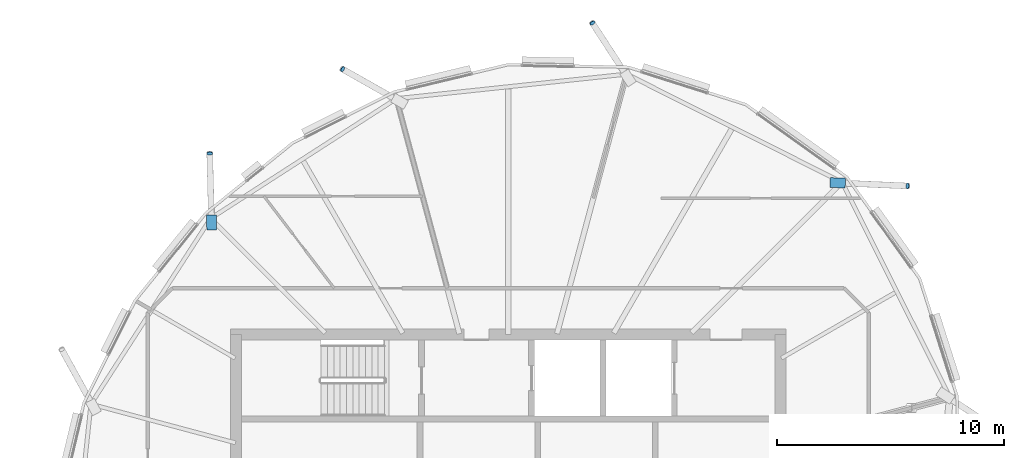
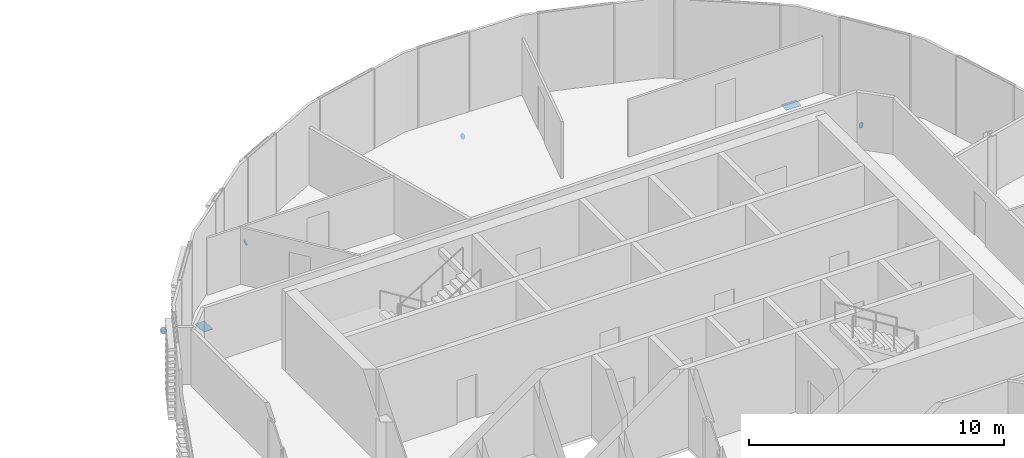
# One storey, part 34 of 41: 6 discrete accessories.
"""IFC4 building model written with IfcOpenShell, lengths in metres."""

from ifc_helpers import new_model, si_unit, direction, frame, origin, origin_2d, place, context, subcontext, project, spatial, polyline, rectangle, circle, outline, extrude, material, material_profile, profile_set, type_object, element, save


model = new_model("IFC4")

# Units and contexts
model_context = context("Model", 3, precision=1e-05, world=origin(), true_north=direction((0.0, 1.0)))
body_context = subcontext(model_context, "Body", "Model", "MODEL_VIEW")
ifc_project = project(units=[si_unit("LENGTHUNIT", "METRE"), si_unit("AREAUNIT", "SQUARE_METRE"), si_unit("VOLUMEUNIT", "CUBIC_METRE"), si_unit("PLANEANGLEUNIT", "RADIAN"), si_unit("MASSUNIT", "GRAM", prefix="KILO")], contexts=[model_context])

# Site, building, storey
site_placement = place(None, origin())
site = spatial("IfcSite", under=ifc_project, at=site_placement, CompositionType="ELEMENT")
building_placement = place(site_placement, origin())
building = spatial("IfcBuilding", under=site, at=building_placement, Name="Rimbun Link Towers", CompositionType="ELEMENT")
storey_placement = place(building_placement, frame((0.0, 0.0, 214.300048828125)))
storey = spatial("IfcBuildingStorey", under=building, at=storey_placement, Name="L52", CompositionType="ELEMENT", Elevation=214.300048828125)

# Discrete accessories
ifc_material_1 = material(Name="Steel S355J2H", Category="steel")
ifc_material_profile_1 = material_profile(ifc_material_1, circle(Radius=0.1240234375, at=origin_2d()), Name="PL D248")
ifc_profile_set_1 = profile_set([ifc_material_profile_1], Name="Steel S355J2H")
discrete_accessory_type_1 = type_object("IfcDiscreteAccessoryType", Name="Link foot sealing plate D248X20", PredefinedType="BRACKET", material=ifc_profile_set_1)
discrete_accessory_1_placement = place(storey_placement, frame((49.347900390625, 14.546142578125, -2.623291015625), z_axis=(0.85150841907, -0.03649321796, -0.523069457429), x_axis=(0.042817838392, 0.999082895818, 0.0)))
element("IfcDiscreteAccessory", 1, at=discrete_accessory_1_placement, inside=storey, type_object=discrete_accessory_type_1, Name="Link foot sealing plate T2 L52 00", PredefinedType="BRACKET", context=body_context, shape_type="SweptSolid", body=[
    extrude(circle(Radius=0.1240234375, at=origin_2d()), origin(), (0.0, 0.0, 1.0), 0.02001953125),
])
discrete_accessory_2_placement = place(storey_placement, frame((35.46484375, 21.7236328125, -2.64697265625), z_axis=(-0.45970358039, 0.701652833227, -0.544385818883), x_axis=(-0.83646112958, -0.548026257311, 0.0)))
element("IfcDiscreteAccessory", 2, at=discrete_accessory_2_placement, inside=storey, type_object=discrete_accessory_type_1, Name="Link foot sealing plate T2 L52 02", PredefinedType="BRACKET", context=body_context, shape_type="SweptSolid", body=[
    extrude(circle(Radius=0.1240234375, at=origin_2d()), origin(), (0.0, 0.0, 1.0), 0.020263671875),
])
for number, where, z_axis, x_axis, name in (
    (3, (24.45654296875, 19.6923828125, -2.644287109375), (-0.728625519872, 0.412887794594, -0.546469139904), (-0.493012571981, -0.870022185849, 0.0), "Link foot sealing plate T2 L52 04"),
    (4, (18.59130859375, 15.9716796875, -2.549072265625), (-0.024520043366, 0.83368147445, -0.551700975739), (-0.999567754464, -0.029399051602, 0.0), "Link foot sealing plate T2 L52 06"),
):
    element("IfcDiscreteAccessory", number, at=place(storey_placement, frame(where, z_axis=z_axis, x_axis=x_axis)), inside=storey, type_object=discrete_accessory_type_1, Name=name, PredefinedType="BRACKET", context=body_context, shape_type="SweptSolid", body=[
        extrude(circle(Radius=0.1240234375, at=origin_2d()), origin(), (0.0, 0.0, 1.0), 0.02001953125),
    ])
ifc_material_2 = material(Name="Steel S355J2H", Category="steel")
ifc_material_profile_2 = material_profile(ifc_material_2, rectangle(XDim=0.43310546875, YDim=0.43310546875, at=origin_2d()), Name="PL 433x433")
ifc_profile_set_2 = profile_set([ifc_material_profile_2], Name="Steel S355J2H")
discrete_accessory_type_2 = type_object("IfcDiscreteAccessoryType", Name="Link head end plate 433X20", PredefinedType="BRACKET", material=ifc_profile_set_2)
discrete_accessory_3_placement = place(storey_placement, frame((0.0, 0.0, -0.693115234375)))
element("IfcDiscreteAccessory", 5, at=discrete_accessory_3_placement, inside=storey, type_object=discrete_accessory_type_2, Name="Link head end plate T2 L52 00", PredefinedType="BRACKET", context=body_context, shape_type="SweptSolid", body=[
    extrude(outline(polyline([(45.9287109375, 14.48291015625), (46.6015625, 14.452880859375), (46.62109375, 14.88525390625), (45.947998046875, 14.91552734375), (45.9287109375, 14.48291015625)])), origin(), (0.0, 0.0, 1.0), 0.02001953125),
])
discrete_accessory_4_placement = place(storey_placement, frame((0.0, 0.0, -0.56640625)))
element("IfcDiscreteAccessory", 6, at=discrete_accessory_4_placement, inside=storey, type_object=discrete_accessory_type_2, Name="Link head end plate T2 L52 06", PredefinedType="BRACKET", context=body_context, shape_type="SweptSolid", body=[
    extrude(outline(polyline([(18.895751953125, 12.614990234375), (18.87841796875, 13.273681640625), (18.445556640625, 13.262451171875), (18.462890625, 12.603515625), (18.895751953125, 12.614990234375)])), origin(), (0.0, 0.0, 1.0), 0.02001953125),
])

save(model, "model.ifc")
